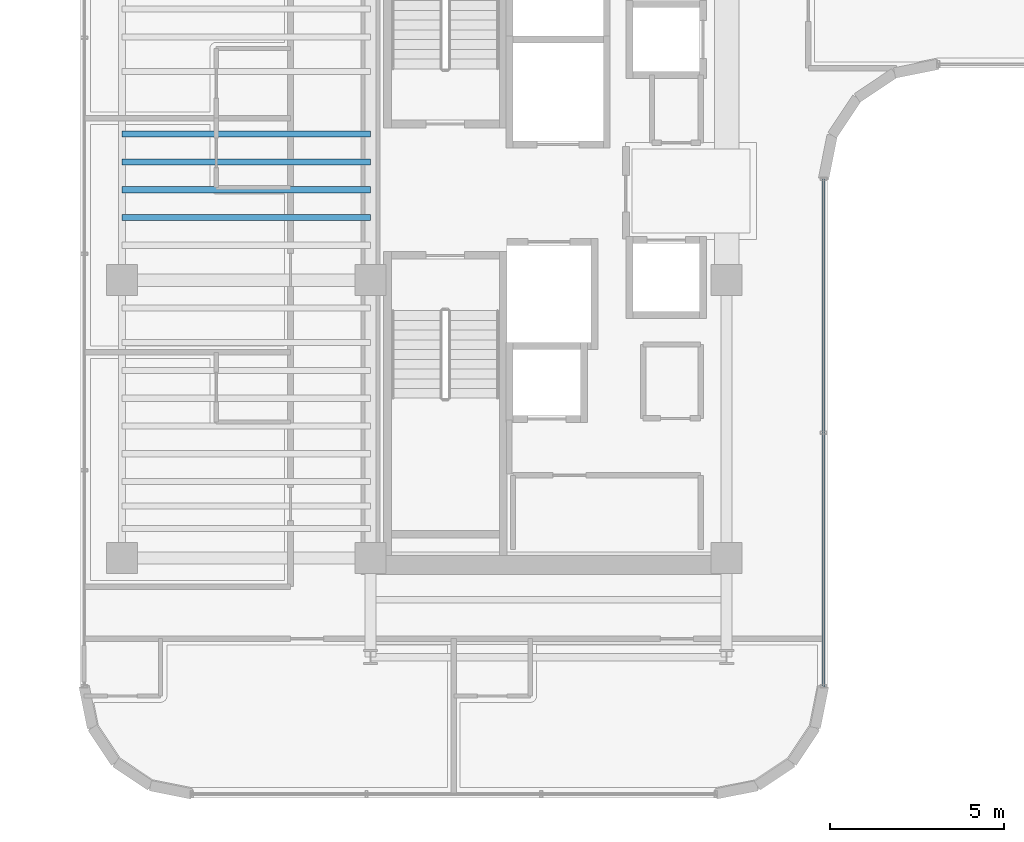
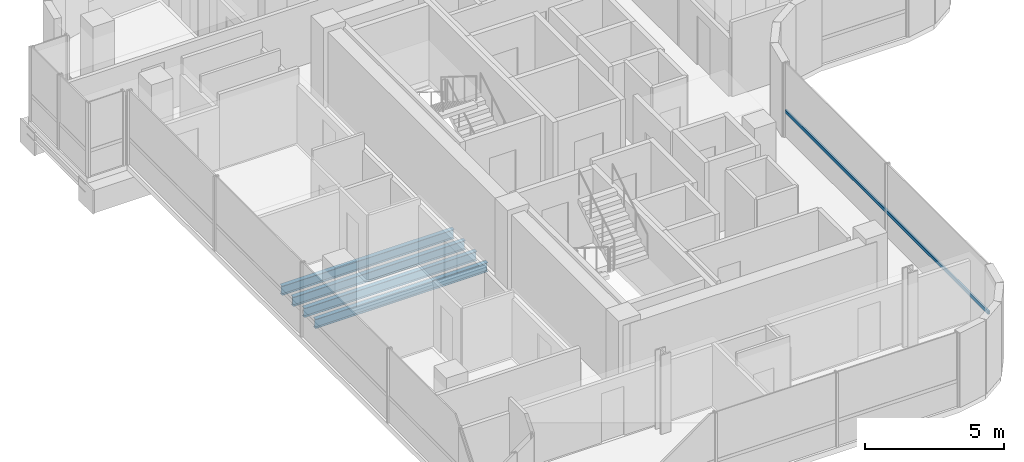
# One storey, part 7 of 23: 4 beams, 1 member, 1 element without a shape of its own.
"""IFC4 building model written with IfcOpenShell, lengths in metres."""

import ifcopenshell
import ifcopenshell.guid

model = None  # the IFC model being written
_history = None  # IfcOwnerHistory: only IFC2X3 demands one
_inside = {}  # id of a spatial element -> (the spatial element, [elements in it])
_under = {}  # id of a project, library or spatial element -> (it, [spatial elements below it])
_declared = {}  # id of a project -> (the project, [libraries it declares])
_typed = {}  # id of a type object -> (the type object, [elements of that type])
_made_of = {}  # id of a material, layer set ... -> (it, [elements and type objects made of it])


def new_model(schema):
    """Start an empty IFC model of exactly this schema.

    Asked for "IFC4X3", IfcOpenShell would pick the latest addendum, in which some entities
    have other attributes; the version numbers below select the first issue.
    IFC2X3 requires an IfcOwnerHistory on every rooted entity: one is made here for all.
    """
    global model, _history
    if schema == "IFC4X3":
        model = ifcopenshell.file(schema_version=(4, 3, 0, 0))
    else:
        model = ifcopenshell.file(schema=schema)
    _inside.clear()
    _under.clear()
    _declared.clear()
    _typed.clear()
    _made_of.clear()
    _history = None
    if model.schema == "IFC2X3":
        org = make("IfcOrganization", Name="unknown")
        user = make(
            "IfcPersonAndOrganization",
            ThePerson=make("IfcPerson", FamilyName="unknown"),
            TheOrganization=org,
        )
        app = make(
            "IfcApplication",
            ApplicationDeveloper=org,
            Version="unknown",
            ApplicationFullName="unknown",
            ApplicationIdentifier="unknown",
        )
        _history = make(
            "IfcOwnerHistory",
            OwningUser=user,
            OwningApplication=app,
            ChangeAction="ADDED",
            CreationDate=0,
        )
    return model


def make(cls, **values):
    """One entity of the class cls with the attributes given. An attribute that is None is left unset."""
    return model.create_entity(
        cls, **{name: value for name, value in values.items() if value is not None}
    )


def rooted(cls, **values):
    """An entity with a GlobalId (a new one), such as an element, a storey or a relation."""
    return make(cls, GlobalId=ifcopenshell.guid.new(), OwnerHistory=_history, **values)


def si_unit(unit_type, name, prefix=None):
    """IfcSIUnit, for example si_unit("LENGTHUNIT", "METRE", prefix="MILLI")."""
    return make("IfcSIUnit", UnitType=unit_type, Prefix=prefix, Name=name)


def assignment(units):
    """IfcUnitAssignment: the units of a project."""
    return None if units is None else make("IfcUnitAssignment", Units=units)


def point(xyz):
    """IfcCartesianPoint."""
    return None if xyz is None else make("IfcCartesianPoint", Coordinates=xyz)


def direction(xyz):
    """IfcDirection."""
    return None if xyz is None else make("IfcDirection", DirectionRatios=xyz)


def frame(location, z_axis=None, x_axis=None):
    """IfcAxis2Placement3D, a coordinate frame: its origin and axes. An axis left out is left unset."""
    return make(
        "IfcAxis2Placement3D",
        Location=point(location),
        Axis=direction(z_axis),
        RefDirection=direction(x_axis),
    )


def frame_2d(location, x_axis=None):
    """IfcAxis2Placement2D, a coordinate frame in the plane: its origin and x axis."""
    return make(
        "IfcAxis2Placement2D", Location=point(location), RefDirection=direction(x_axis)
    )


def origin():
    """The frame at (0, 0, 0) with its axes left unset."""
    return frame((0.0, 0.0, 0.0))


def origin_2d():
    """The frame at (0, 0) in the plane with its x axis left unset."""
    return frame_2d((0.0, 0.0))


def place(relative_to, where):
    """IfcLocalPlacement: puts the frame where relative to a parent placement (None: the world)."""
    return make(
        "IfcLocalPlacement", PlacementRelTo=relative_to, RelativePlacement=where
    )


def context(
    kind, dimensions, precision=None, world=None, true_north=None, identifier=None
):
    """IfcGeometricRepresentationContext, for example the 3D "Model" context."""
    return make(
        "IfcGeometricRepresentationContext",
        ContextIdentifier=identifier,
        ContextType=kind,
        CoordinateSpaceDimension=dimensions,
        Precision=precision,
        WorldCoordinateSystem=world,
        TrueNorth=true_north,
    )


def subcontext(parent, identifier, kind, view, scale=None):
    """IfcGeometricRepresentationSubContext, for example "Body" below "Model"."""
    return make(
        "IfcGeometricRepresentationSubContext",
        ContextIdentifier=identifier,
        ContextType=kind,
        ParentContext=parent,
        TargetScale=scale,
        TargetView=view,
    )


def project(units=None, contexts=None):
    """IfcProject with its units and contexts."""
    return rooted(
        "IfcProject",
        Name="project",
        RepresentationContexts=contexts,
        UnitsInContext=assignment(units),
    )


def spatial(cls, under=None, at=None, **own):
    """A site, building, storey or space (cls), placed at a placement, below another one or the project."""
    s = rooted(cls, ObjectPlacement=at, **own)
    if under is not None:
        _under.setdefault(under.id(), (under, []))[1].append(s)
    return s


def profile(cls, at=None, kind="AREA", **sizes):
    """A parametric profile (cls). Its sizes go by their IFC names, for example OverallWidth=200.0."""
    return make(cls, ProfileType=kind, Position=at, **sizes)


def hollow_rectangle(**sizes):
    """IfcRectangleHollowProfileDef."""
    return profile("IfcRectangleHollowProfileDef", **sizes)


def i_section(**sizes):
    """IfcIShapeProfileDef."""
    return profile("IfcIShapeProfileDef", **sizes)


def extrude(swept, where, along, depth):
    """IfcExtrudedAreaSolid: the profile swept, set in the frame where, extruded along a direction by depth."""
    return make(
        "IfcExtrudedAreaSolid",
        SweptArea=swept,
        Position=where,
        ExtrudedDirection=direction(along),
        Depth=depth,
    )


def shape(context_of_items, identifier, shape_type, items):
    """IfcShapeRepresentation: the items that make up one representation, for example the "Body"."""
    return make(
        "IfcShapeRepresentation",
        ContextOfItems=context_of_items,
        RepresentationIdentifier=identifier,
        RepresentationType=shape_type,
        Items=items,
    )


def source(mapping_origin, context_of_items, identifier, shape_type, items):
    """IfcRepresentationMap: a shape defined once, which mapped items show again and again."""
    return make(
        "IfcRepresentationMap",
        MappingOrigin=mapping_origin,
        MappedRepresentation=shape(context_of_items, identifier, shape_type, items),
    )


def transform(
    local_origin,
    x_axis=None,
    y_axis=None,
    z_axis=None,
    scale=None,
    scale2=None,
    scale3=None,
    uniform=True,
):
    """IfcCartesianTransformationOperator3D, or its non-uniform kind. x_axis, y_axis, z_axis: its Axis1, 2, 3."""
    if uniform:
        return make(
            "IfcCartesianTransformationOperator3D",
            Axis1=direction(x_axis),
            Axis2=direction(y_axis),
            LocalOrigin=point(local_origin),
            Scale=scale,
            Axis3=direction(z_axis),
        )
    return make(
        "IfcCartesianTransformationOperator3DnonUniform",
        Axis1=direction(x_axis),
        Axis2=direction(y_axis),
        LocalOrigin=point(local_origin),
        Scale=scale,
        Axis3=direction(z_axis),
        Scale2=scale2,
        Scale3=scale3,
    )


def mapped(mapping_source, mapping_target):
    """IfcMappedItem: shows the shape of a source again, moved by a transform."""
    return make(
        "IfcMappedItem", MappingSource=mapping_source, MappingTarget=mapping_target
    )


def material(Name=None, Category=None):
    """IfcMaterial."""
    return make("IfcMaterial", Name=Name, Category=Category)


def material_profile(
    of_material, cross_section, Name=None, Category=None, Priority=None
):
    """IfcMaterialProfile: a cross section and its material."""
    return make(
        "IfcMaterialProfile",
        Name=Name,
        Material=of_material,
        Profile=cross_section,
        Priority=Priority,
        Category=Category,
    )


def profile_set(profiles, Name=None, composite=None):
    """IfcMaterialProfileSet."""
    return make(
        "IfcMaterialProfileSet",
        Name=Name,
        MaterialProfiles=profiles,
        CompositeProfile=composite,
    )


def made_of(thing, what):
    """Note that an element or type object is made of a material, layer set ...; save() writes the relation."""
    if what is not None:
        _made_of.setdefault(what.id(), (what, []))[1].append(thing)
    return thing


def type_object(cls, material=None, **own):
    """A type object (cls), such as IfcWallType, which elements share."""
    return made_of(rooted(cls, **own), material)


def element(
    cls,
    number,
    at=None,
    inside=None,
    cuts=None,
    type_object=None,
    material=None,
    context=None,
    identifier="Body",
    shape_type=None,
    held_by="IfcProductDefinitionShape",
    body=None,
    shapes=None,
    **own,
):
    """One element of the class cls, such as IfcWall. Its Tag is "e" and its number.

    at: its placement. inside: the storey or other place that contains it. cuts: it is an
    opening in that element (IfcRelVoidsElement). A single representation is given by context,
    identifier, shape_type and body (its items); several are given by shapes. held_by: the class
    of the entity that holds the representations. save() writes the other relations.
    """
    e = rooted(cls, Tag="e%d" % number, ObjectPlacement=at, **own)
    if body is not None:
        shapes = [shape(context, identifier, shape_type, body)]
    if shapes is not None:
        e.Representation = make(held_by, Representations=shapes)
    if inside is not None:
        _inside.setdefault(inside.id(), (inside, []))[1].append(e)
    if cuts is not None:
        rooted(
            "IfcRelVoidsElement", RelatingBuildingElement=cuts, RelatedOpeningElement=e
        )
    if type_object is not None:
        _typed.setdefault(type_object.id(), (type_object, []))[1].append(e)
    return made_of(e, material)


def aggregate(whole, parts):
    """IfcRelAggregates: a whole, such as a stair, and the parts it consists of."""
    return rooted("IfcRelAggregates", RelatingObject=whole, RelatedObjects=parts)


def save(model, path):
    """Write the relations noted so far, then the file.

    IfcRelAggregates (storeys below a building ...), IfcRelContainedInSpatialStructure (elements
    in a storey), IfcRelDefinesByType, IfcRelAssociatesMaterial and IfcRelDeclares: one each for
    every whole, place, type object, material and project.
    """
    for whole, parts in _under.values():
        aggregate(whole, parts)
    for where, things in _inside.values():
        rooted(
            "IfcRelContainedInSpatialStructure",
            RelatedElements=things,
            RelatingStructure=where,
        )
    for kind, things in _typed.values():
        rooted("IfcRelDefinesByType", RelatedObjects=things, RelatingType=kind)
    for what, things in _made_of.values():
        rooted("IfcRelAssociatesMaterial", RelatedObjects=things, RelatingMaterial=what)
    for by, libraries in _declared.values():
        rooted("IfcRelDeclares", RelatingContext=by, RelatedDefinitions=libraries)
    model.write(path)


model = new_model("IFC4")

# Units and contexts
model_context = context("Model", 3, precision=1e-05, world=origin(), true_north=direction((0.0, 1.0)))
body_context = subcontext(model_context, "Body", "Model", "MODEL_VIEW")
ifc_project = project(units=[si_unit("LENGTHUNIT", "METRE"), si_unit("AREAUNIT", "SQUARE_METRE"), si_unit("VOLUMEUNIT", "CUBIC_METRE"), si_unit("PLANEANGLEUNIT", "RADIAN"), si_unit("MASSUNIT", "GRAM", prefix="KILO")], contexts=[model_context])

# Site, building, storey
site_placement = place(None, origin())
site = spatial("IfcSite", under=ifc_project, at=site_placement, CompositionType="ELEMENT")
building_placement = place(site_placement, origin())
building = spatial("IfcBuilding", under=site, at=building_placement, Name="Valdorenza Pilgrim Sanctuary Tower", CompositionType="ELEMENT")
storey_placement = place(building_placement, frame((0.0, 0.0, 226.5)))
storey = spatial("IfcBuildingStorey", under=building, at=storey_placement, Name="L58", CompositionType="ELEMENT", Elevation=226.5)

# Beams
ifc_material_1 = material(Name="Steel ASTM A992 Grade 50", Category="steel")
ifc_material_profile_1 = material_profile(ifc_material_1, i_section(OverallWidth=0.177978515625, OverallDepth=0.406005859375, WebThickness=0.0078125, FlangeThickness=0.0126953125, at=origin_2d()), Name="W16X40")
ifc_profile_set_1 = profile_set([ifc_material_profile_1], Name="Steel ASTM A992 Grade 50")
beam_type = type_object("IfcBeamType", Name="STR-BM-JST-W16", PredefinedType="JOIST", material=ifc_profile_set_1)
shared_shape_1 = source(origin(), body_context, "Body", "SweptSolid", [
    extrude(i_section(OverallWidth=0.177978515625, OverallDepth=0.406005859375, WebThickness=0.0078125, FlangeThickness=0.0126953125, at=origin_2d()), origin(), (0.0, 0.0, 1.0), 7.150146484375),
])
for number, where, z_axis, x_axis, name in (
    (1, (-29.800048828125, -0.800048828125, -0.443115234375), (1.0, 0.0, 0.0), (0.0, 1.0, 0.0), "L58 Composite Floor Joist JST-WA-11"),
    (2, (-29.800048828125, 0.0, -0.443115234375), (1.0, 0.0, 0.0), (0.0, 1.0, 0.0), "L58 Composite Floor Joist JST-WA-12"),
    (3, (-29.800048828125, 0.800048828125, -0.443115234375), (1.0, 0.0, 0.0), (0.0, 1.0, 0.0), "L58 Composite Floor Joist JST-WA-13"),
    (4, (-29.800048828125, 1.60009765625, -0.443115234375), (1.0, 0.0, 0.0), (0.0, 1.0, 0.0), "L58 Composite Floor Joist JST-WA-14"),
):
    element("IfcBeam", number, at=place(storey_placement, frame(where, z_axis=z_axis, x_axis=x_axis)), inside=storey, type_object=beam_type, Name=name, PredefinedType="JOIST", context=body_context, shape_type="MappedRepresentation", body=[
        mapped(shared_shape_1, transform((0.0, 0.0, 0.0), x_axis=(1.0, 0.0, 0.0), y_axis=(0.0, 1.0, 0.0), z_axis=(0.0, 0.0, 1.0), scale=1.0)),
    ])

# Curtain wall, member
ifc_material_2 = material(Name="Curtain-wall IGU glazing", Category="glass")
curtain_wall_type = type_object("IfcCurtainWallType", Name="CW-SYS-02", PredefinedType="NOTDEFINED", material=ifc_material_2)
curtain_wall_placement = place(storey_placement, origin())
curtain_wall = element("IfcCurtainWall", 5, at=curtain_wall_placement, inside=storey, type_object=curtain_wall_type, Name="L58 Curtain Wall CW-L58-1-21", PredefinedType="NOTDEFINED")
ifc_material_3 = material(Name="Anodised aluminium AW-6060", Category="aluminium")
ifc_material_profile_2 = material_profile(ifc_material_3, hollow_rectangle(XDim=0.074951171875, YDim=0.14990234375, WallThickness=0.00390625, at=origin_2d()), Name="ALU-T 150x75x4")
ifc_profile_set_2 = profile_set([ifc_material_profile_2], Name="Anodised aluminium AW-6060")
member_type = type_object("IfcMemberType", Name="CW-TRN-02", PredefinedType="USERDEFINED", material=ifc_profile_set_2)
shared_shape_2 = source(origin(), body_context, "Body", "SweptSolid", [
    extrude(hollow_rectangle(XDim=0.074951171875, YDim=0.14990234375, WallThickness=0.00390625, at=origin_2d()), origin(), (0.0, 0.0, 1.0), 14.60009765625),
])
member_placement = place(storey_placement, frame((-9.610107421875, 0.310791015625, 1.1201171875), z_axis=(0.0, -1.0, 0.0), x_axis=(1.0, 0.0, 0.0)))
member = element("IfcMember", 6, at=member_placement, type_object=member_type, Name="CW-L58-1-21 Transom 1", ObjectType="TRANSOM", PredefinedType="USERDEFINED", context=body_context, shape_type="MappedRepresentation", body=[
    mapped(shared_shape_2, transform((0.0, 0.0, 0.0), x_axis=(1.0, 0.0, 0.0), y_axis=(0.0, 1.0, 0.0), z_axis=(0.0, 0.0, 1.0), scale=1.0)),
])
aggregate(curtain_wall, [member])

save(model, "model.ifc")
